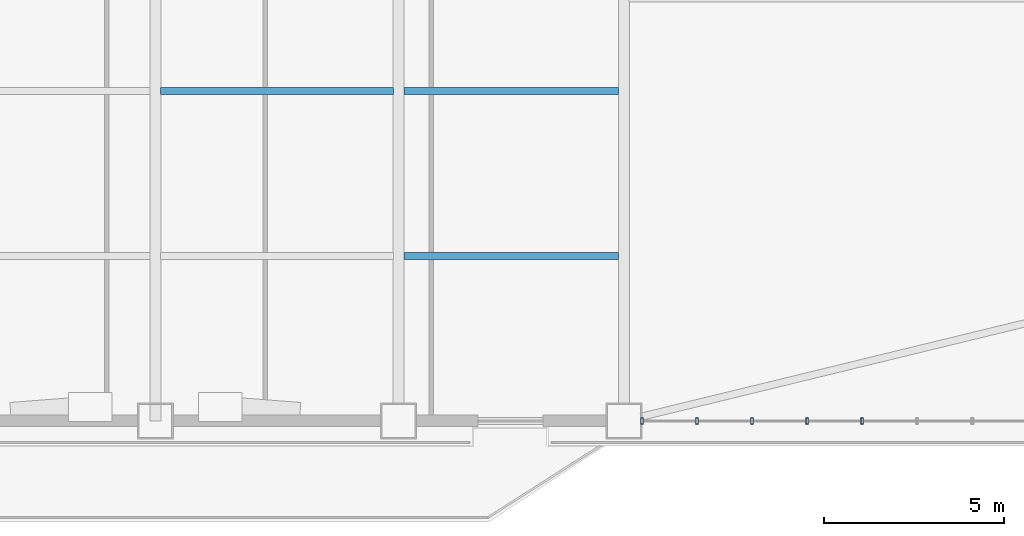
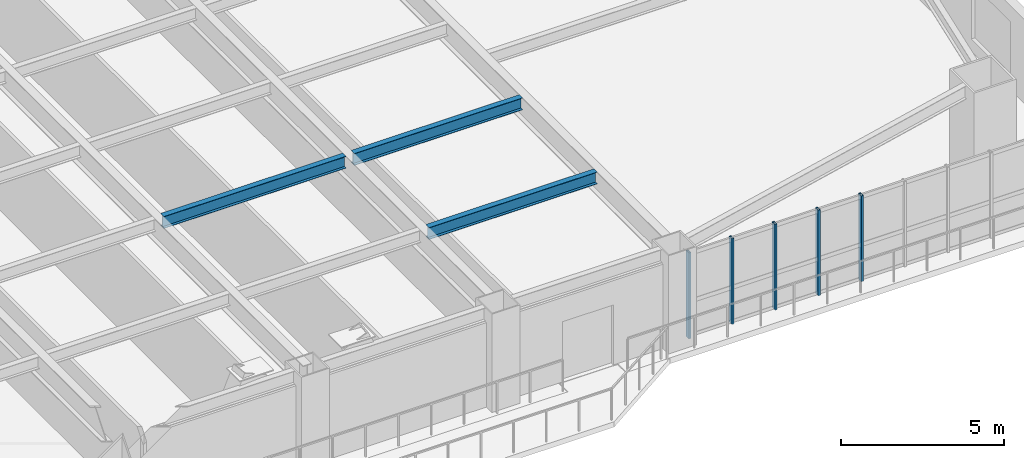
# One storey, part 4 of 16: 5 members, 3 beams, 1 element without a shape of its own.
"""IFC4 building model written with IfcOpenShell, lengths in metres."""

import ifcopenshell
import ifcopenshell.guid

model = None  # the IFC model being written
_history = None  # IfcOwnerHistory: only IFC2X3 demands one
_inside = {}  # id of a spatial element -> (the spatial element, [elements in it])
_under = {}  # id of a project, library or spatial element -> (it, [spatial elements below it])
_declared = {}  # id of a project -> (the project, [libraries it declares])
_typed = {}  # id of a type object -> (the type object, [elements of that type])
_made_of = {}  # id of a material, layer set ... -> (it, [elements and type objects made of it])


def new_model(schema):
    """Start an empty IFC model of exactly this schema.

    Asked for "IFC4X3", IfcOpenShell would pick the latest addendum, in which some entities
    have other attributes; the version numbers below select the first issue.
    IFC2X3 requires an IfcOwnerHistory on every rooted entity: one is made here for all.
    """
    global model, _history
    if schema == "IFC4X3":
        model = ifcopenshell.file(schema_version=(4, 3, 0, 0))
    else:
        model = ifcopenshell.file(schema=schema)
    _inside.clear()
    _under.clear()
    _declared.clear()
    _typed.clear()
    _made_of.clear()
    _history = None
    if model.schema == "IFC2X3":
        org = make("IfcOrganization", Name="unknown")
        user = make(
            "IfcPersonAndOrganization",
            ThePerson=make("IfcPerson", FamilyName="unknown"),
            TheOrganization=org,
        )
        app = make(
            "IfcApplication",
            ApplicationDeveloper=org,
            Version="unknown",
            ApplicationFullName="unknown",
            ApplicationIdentifier="unknown",
        )
        _history = make(
            "IfcOwnerHistory",
            OwningUser=user,
            OwningApplication=app,
            ChangeAction="ADDED",
            CreationDate=0,
        )
    return model


def make(cls, **values):
    """One entity of the class cls with the attributes given. An attribute that is None is left unset."""
    return model.create_entity(
        cls, **{name: value for name, value in values.items() if value is not None}
    )


def rooted(cls, **values):
    """An entity with a GlobalId (a new one), such as an element, a storey or a relation."""
    return make(cls, GlobalId=ifcopenshell.guid.new(), OwnerHistory=_history, **values)


def si_unit(unit_type, name, prefix=None):
    """IfcSIUnit, for example si_unit("LENGTHUNIT", "METRE", prefix="MILLI")."""
    return make("IfcSIUnit", UnitType=unit_type, Prefix=prefix, Name=name)


def assignment(units):
    """IfcUnitAssignment: the units of a project."""
    return None if units is None else make("IfcUnitAssignment", Units=units)


def point(xyz):
    """IfcCartesianPoint."""
    return None if xyz is None else make("IfcCartesianPoint", Coordinates=xyz)


def direction(xyz):
    """IfcDirection."""
    return None if xyz is None else make("IfcDirection", DirectionRatios=xyz)


def frame(location, z_axis=None, x_axis=None):
    """IfcAxis2Placement3D, a coordinate frame: its origin and axes. An axis left out is left unset."""
    return make(
        "IfcAxis2Placement3D",
        Location=point(location),
        Axis=direction(z_axis),
        RefDirection=direction(x_axis),
    )


def frame_2d(location, x_axis=None):
    """IfcAxis2Placement2D, a coordinate frame in the plane: its origin and x axis."""
    return make(
        "IfcAxis2Placement2D", Location=point(location), RefDirection=direction(x_axis)
    )


def origin():
    """The frame at (0, 0, 0) with its axes left unset."""
    return frame((0.0, 0.0, 0.0))


def origin_2d():
    """The frame at (0, 0) in the plane with its x axis left unset."""
    return frame_2d((0.0, 0.0))


def place(relative_to, where):
    """IfcLocalPlacement: puts the frame where relative to a parent placement (None: the world)."""
    return make(
        "IfcLocalPlacement", PlacementRelTo=relative_to, RelativePlacement=where
    )


def context(
    kind, dimensions, precision=None, world=None, true_north=None, identifier=None
):
    """IfcGeometricRepresentationContext, for example the 3D "Model" context."""
    return make(
        "IfcGeometricRepresentationContext",
        ContextIdentifier=identifier,
        ContextType=kind,
        CoordinateSpaceDimension=dimensions,
        Precision=precision,
        WorldCoordinateSystem=world,
        TrueNorth=true_north,
    )


def subcontext(parent, identifier, kind, view, scale=None):
    """IfcGeometricRepresentationSubContext, for example "Body" below "Model"."""
    return make(
        "IfcGeometricRepresentationSubContext",
        ContextIdentifier=identifier,
        ContextType=kind,
        ParentContext=parent,
        TargetScale=scale,
        TargetView=view,
    )


def project(units=None, contexts=None):
    """IfcProject with its units and contexts."""
    return rooted(
        "IfcProject",
        Name="project",
        RepresentationContexts=contexts,
        UnitsInContext=assignment(units),
    )


def spatial(cls, under=None, at=None, **own):
    """A site, building, storey or space (cls), placed at a placement, below another one or the project."""
    s = rooted(cls, ObjectPlacement=at, **own)
    if under is not None:
        _under.setdefault(under.id(), (under, []))[1].append(s)
    return s


def profile(cls, at=None, kind="AREA", **sizes):
    """A parametric profile (cls). Its sizes go by their IFC names, for example OverallWidth=200.0."""
    return make(cls, ProfileType=kind, Position=at, **sizes)


def hollow_rectangle(**sizes):
    """IfcRectangleHollowProfileDef."""
    return profile("IfcRectangleHollowProfileDef", **sizes)


def i_section(**sizes):
    """IfcIShapeProfileDef."""
    return profile("IfcIShapeProfileDef", **sizes)


def extrude(swept, where, along, depth):
    """IfcExtrudedAreaSolid: the profile swept, set in the frame where, extruded along a direction by depth."""
    return make(
        "IfcExtrudedAreaSolid",
        SweptArea=swept,
        Position=where,
        ExtrudedDirection=direction(along),
        Depth=depth,
    )


def shape(context_of_items, identifier, shape_type, items):
    """IfcShapeRepresentation: the items that make up one representation, for example the "Body"."""
    return make(
        "IfcShapeRepresentation",
        ContextOfItems=context_of_items,
        RepresentationIdentifier=identifier,
        RepresentationType=shape_type,
        Items=items,
    )


def source(mapping_origin, context_of_items, identifier, shape_type, items):
    """IfcRepresentationMap: a shape defined once, which mapped items show again and again."""
    return make(
        "IfcRepresentationMap",
        MappingOrigin=mapping_origin,
        MappedRepresentation=shape(context_of_items, identifier, shape_type, items),
    )


def transform(
    local_origin,
    x_axis=None,
    y_axis=None,
    z_axis=None,
    scale=None,
    scale2=None,
    scale3=None,
    uniform=True,
):
    """IfcCartesianTransformationOperator3D, or its non-uniform kind. x_axis, y_axis, z_axis: its Axis1, 2, 3."""
    if uniform:
        return make(
            "IfcCartesianTransformationOperator3D",
            Axis1=direction(x_axis),
            Axis2=direction(y_axis),
            LocalOrigin=point(local_origin),
            Scale=scale,
            Axis3=direction(z_axis),
        )
    return make(
        "IfcCartesianTransformationOperator3DnonUniform",
        Axis1=direction(x_axis),
        Axis2=direction(y_axis),
        LocalOrigin=point(local_origin),
        Scale=scale,
        Axis3=direction(z_axis),
        Scale2=scale2,
        Scale3=scale3,
    )


def mapped(mapping_source, mapping_target):
    """IfcMappedItem: shows the shape of a source again, moved by a transform."""
    return make(
        "IfcMappedItem", MappingSource=mapping_source, MappingTarget=mapping_target
    )


def material(Name=None, Category=None):
    """IfcMaterial."""
    return make("IfcMaterial", Name=Name, Category=Category)


def layer(
    of_material, thickness, ventilated=None, Name=None, Category=None, Priority=None
):
    """IfcMaterialLayer: one layer of a wall or slab, of a material (None: an air gap)."""
    return make(
        "IfcMaterialLayer",
        Material=of_material,
        LayerThickness=thickness,
        IsVentilated=ventilated,
        Name=Name,
        Category=Category,
        Priority=Priority,
    )


def layer_set(layers, Name=None):
    """IfcMaterialLayerSet."""
    return make("IfcMaterialLayerSet", MaterialLayers=layers, LayerSetName=Name)


def material_profile(
    of_material, cross_section, Name=None, Category=None, Priority=None
):
    """IfcMaterialProfile: a cross section and its material."""
    return make(
        "IfcMaterialProfile",
        Name=Name,
        Material=of_material,
        Profile=cross_section,
        Priority=Priority,
        Category=Category,
    )


def profile_set(profiles, Name=None, composite=None):
    """IfcMaterialProfileSet."""
    return make(
        "IfcMaterialProfileSet",
        Name=Name,
        MaterialProfiles=profiles,
        CompositeProfile=composite,
    )


def made_of(thing, what):
    """Note that an element or type object is made of a material, layer set ...; save() writes the relation."""
    if what is not None:
        _made_of.setdefault(what.id(), (what, []))[1].append(thing)
    return thing


def type_object(cls, material=None, **own):
    """A type object (cls), such as IfcWallType, which elements share."""
    return made_of(rooted(cls, **own), material)


def element(
    cls,
    number,
    at=None,
    inside=None,
    cuts=None,
    type_object=None,
    material=None,
    context=None,
    identifier="Body",
    shape_type=None,
    held_by="IfcProductDefinitionShape",
    body=None,
    shapes=None,
    **own,
):
    """One element of the class cls, such as IfcWall. Its Tag is "e" and its number.

    at: its placement. inside: the storey or other place that contains it. cuts: it is an
    opening in that element (IfcRelVoidsElement). A single representation is given by context,
    identifier, shape_type and body (its items); several are given by shapes. held_by: the class
    of the entity that holds the representations. save() writes the other relations.
    """
    e = rooted(cls, Tag="e%d" % number, ObjectPlacement=at, **own)
    if body is not None:
        shapes = [shape(context, identifier, shape_type, body)]
    if shapes is not None:
        e.Representation = make(held_by, Representations=shapes)
    if inside is not None:
        _inside.setdefault(inside.id(), (inside, []))[1].append(e)
    if cuts is not None:
        rooted(
            "IfcRelVoidsElement", RelatingBuildingElement=cuts, RelatedOpeningElement=e
        )
    if type_object is not None:
        _typed.setdefault(type_object.id(), (type_object, []))[1].append(e)
    return made_of(e, material)


def aggregate(whole, parts):
    """IfcRelAggregates: a whole, such as a stair, and the parts it consists of."""
    return rooted("IfcRelAggregates", RelatingObject=whole, RelatedObjects=parts)


def save(model, path):
    """Write the relations noted so far, then the file.

    IfcRelAggregates (storeys below a building ...), IfcRelContainedInSpatialStructure (elements
    in a storey), IfcRelDefinesByType, IfcRelAssociatesMaterial and IfcRelDeclares: one each for
    every whole, place, type object, material and project.
    """
    for whole, parts in _under.values():
        aggregate(whole, parts)
    for where, things in _inside.values():
        rooted(
            "IfcRelContainedInSpatialStructure",
            RelatedElements=things,
            RelatingStructure=where,
        )
    for kind, things in _typed.values():
        rooted("IfcRelDefinesByType", RelatedObjects=things, RelatingType=kind)
    for what, things in _made_of.values():
        rooted("IfcRelAssociatesMaterial", RelatedObjects=things, RelatingMaterial=what)
    for by, libraries in _declared.values():
        rooted("IfcRelDeclares", RelatingContext=by, RelatedDefinitions=libraries)
    model.write(path)


model = new_model("IFC4")

# Units and contexts
model_context = context("Model", 3, precision=1e-05, world=origin(), true_north=direction((0.0, 1.0)))
body_context = subcontext(model_context, "Body", "Model", "MODEL_VIEW")
ifc_project = project(units=[si_unit("LENGTHUNIT", "METRE"), si_unit("AREAUNIT", "SQUARE_METRE"), si_unit("VOLUMEUNIT", "CUBIC_METRE"), si_unit("PLANEANGLEUNIT", "RADIAN"), si_unit("MASSUNIT", "GRAM", prefix="KILO")], contexts=[model_context])

# Site, building, storey
site_placement = place(None, origin())
site = spatial("IfcSite", under=ifc_project, at=site_placement, CompositionType="ELEMENT")
building_placement = place(site_placement, origin())
building = spatial("IfcBuilding", under=site, at=building_placement, Name="Giltprow Tower", CompositionType="ELEMENT")
storey_placement = place(building_placement, frame((0.0, 0.0, 79.60009765625)))
storey = spatial("IfcBuildingStorey", under=building, at=storey_placement, Name="L19", CompositionType="ELEMENT", Elevation=79.60009765625)

# Beams
ifc_material_1 = material(Name="Structural steel Q355B", Category="steel")
ifc_material_profile_1 = material_profile(ifc_material_1, i_section(OverallWidth=0.199951171875, OverallDepth=0.449951171875, WebThickness=0.009033203125, FlangeThickness=0.013916015625, at=origin_2d()), Name="HN 450x200x9x14")
ifc_profile_set_1 = profile_set([ifc_material_profile_1], Name="Structural steel Q355B")
beam_type = type_object("IfcBeamType", Name="BM-JOIST-HN450", PredefinedType="JOIST", material=ifc_profile_set_1)
shared_shape_1 = source(origin(), body_context, "Body", "SweptSolid", [
    extrude(i_section(OverallWidth=0.199951171875, OverallDepth=0.449951171875, WebThickness=0.009033203125, FlangeThickness=0.013916015625, at=origin_2d()), origin(), (0.0, 0.0, 1.0), 6.4599609375),
])
beam_placement = place(storey_placement, frame((37.695068359375, 14.56396484375, 3.454833984375), z_axis=(1.0, 0.0, 0.0), x_axis=(0.0, 1.0, 0.0)))
element("IfcBeam", 1, at=beam_placement, inside=storey, type_object=beam_type, Name="L19 Composite Floor Joist 2-3", PredefinedType="JOIST", context=body_context, shape_type="MappedRepresentation", body=[
    mapped(shared_shape_1, transform((0.0, 0.0, 0.0), x_axis=(1.0, 0.0, 0.0), y_axis=(0.0, 1.0, 0.0), z_axis=(0.0, 0.0, 1.0), scale=1.0)),
])
shared_shape_2 = source(origin(), body_context, "Body", "SweptSolid", [
    extrude(i_section(OverallWidth=0.199951171875, OverallDepth=0.449951171875, WebThickness=0.009033203125, FlangeThickness=0.013916015625, at=origin_2d()), origin(), (0.0, 0.0, 1.0), 5.9599609375),
])
for number, where, z_axis, x_axis, name in (
    (2, (44.445068359375, 9.986083984375, 3.454833984375), (1.0, 0.0, 0.0), (0.0, 1.0, 0.0), "L19 Composite Floor Joist 1-4"),
    (3, (44.445068359375, 14.56396484375, 3.454833984375), (1.0, 0.0, 0.0), (0.0, 1.0, 0.0), "L19 Composite Floor Joist 2-4"),
):
    element("IfcBeam", number, at=place(storey_placement, frame(where, z_axis=z_axis, x_axis=x_axis)), inside=storey, type_object=beam_type, Name=name, PredefinedType="JOIST", context=body_context, shape_type="MappedRepresentation", body=[
        mapped(shared_shape_2, transform((0.0, 0.0, 0.0), x_axis=(1.0, 0.0, 0.0), y_axis=(0.0, 1.0, 0.0), z_axis=(0.0, 0.0, 1.0), scale=1.0)),
    ])

# Curtain wall, members
ifc_material_2 = material(Name="Anodized bronze", Category="metal")
ifc_layer = layer(ifc_material_2, 0.179931640625, Name="Anodized bronze")
ifc_layer_set = layer_set([ifc_layer], Name="Anodized bronze")
curtain_wall_type = type_object("IfcCurtainWallType", Name="CW-OFF-RECESSED", PredefinedType="NOTDEFINED", material=ifc_layer_set)
curtain_wall_placement = place(storey_placement, origin())
curtain_wall = element("IfcCurtainWall", 4, at=curtain_wall_placement, inside=storey, type_object=curtain_wall_type, Name="L19 South Recessed Curtain Wall 6", PredefinedType="NOTDEFINED")
ifc_material_profile_2 = material_profile(ifc_material_2, hollow_rectangle(XDim=0.074951171875, YDim=0.179931640625, WallThickness=0.008056640625, at=origin_2d()), Name="RHS 180x75x8")
ifc_profile_set_2 = profile_set([ifc_material_profile_2], Name="Anodized bronze")
member_type = type_object("IfcMemberType", Name="CW-MULLION-180x75", PredefinedType="MULLION", material=ifc_profile_set_2)
shared_shape_3 = source(origin(), body_context, "Body", "SweptSolid", [
    extrude(hollow_rectangle(XDim=0.074951171875, YDim=0.179931640625, WallThickness=0.008056640625, at=origin_2d()), origin(), (0.0, 0.0, 1.0), 3.21484375),
])
member_1_placement = place(storey_placement, frame((51.050048828125, 5.408935546875, -0.02001953125), z_axis=(0.0, 0.0, 1.0), x_axis=(1.0, 0.0, 0.0)))
member_1 = element("IfcMember", 5, at=member_1_placement, type_object=member_type, Name="L19 South Recessed Curtain Wall 6 Mullion 1", PredefinedType="MULLION", context=body_context, shape_type="MappedRepresentation", body=[
    mapped(shared_shape_3, transform((0.0, 0.0, 0.0), x_axis=(1.0, 0.0, 0.0), y_axis=(0.0, 1.0, 0.0), z_axis=(0.0, 0.0, 1.0), scale=1.0)),
])
member_2_placement = place(storey_placement, frame((52.576904296875, 5.408935546875, -0.02001953125), z_axis=(0.0, 0.0, 1.0), x_axis=(1.0, 0.0, 0.0)))
member_2 = element("IfcMember", 6, at=member_2_placement, type_object=member_type, Name="L19 South Recessed Curtain Wall 6 Mullion 2", PredefinedType="MULLION", context=body_context, shape_type="MappedRepresentation", body=[
    mapped(shared_shape_3, transform((0.0, 0.0, 0.0), x_axis=(1.0, 0.0, 0.0), y_axis=(0.0, 1.0, 0.0), z_axis=(0.0, 0.0, 1.0), scale=1.0)),
])
member_3_placement = place(storey_placement, frame((54.10400390625, 5.408935546875, -0.02001953125), z_axis=(0.0, 0.0, 1.0), x_axis=(1.0, 0.0, 0.0)))
member_3 = element("IfcMember", 7, at=member_3_placement, type_object=member_type, Name="L19 South Recessed Curtain Wall 6 Mullion 3", PredefinedType="MULLION", context=body_context, shape_type="MappedRepresentation", body=[
    mapped(shared_shape_3, transform((0.0, 0.0, 0.0), x_axis=(1.0, 0.0, 0.0), y_axis=(0.0, 1.0, 0.0), z_axis=(0.0, 0.0, 1.0), scale=1.0)),
])
member_4_placement = place(storey_placement, frame((55.631103515625, 5.408935546875, -0.02001953125), z_axis=(0.0, 0.0, 1.0), x_axis=(1.0, 0.0, 0.0)))
member_4 = element("IfcMember", 8, at=member_4_placement, type_object=member_type, Name="L19 South Recessed Curtain Wall 6 Mullion 4", PredefinedType="MULLION", context=body_context, shape_type="MappedRepresentation", body=[
    mapped(shared_shape_3, transform((0.0, 0.0, 0.0), x_axis=(1.0, 0.0, 0.0), y_axis=(0.0, 1.0, 0.0), z_axis=(0.0, 0.0, 1.0), scale=1.0)),
])
member_5_placement = place(storey_placement, frame((57.156982421875, 5.408935546875, -0.02001953125), z_axis=(0.0, 0.0, 1.0), x_axis=(1.0, 0.0, 0.0)))
member_5 = element("IfcMember", 9, at=member_5_placement, type_object=member_type, Name="L19 South Recessed Curtain Wall 6 Mullion 5", PredefinedType="MULLION", context=body_context, shape_type="MappedRepresentation", body=[
    mapped(shared_shape_3, transform((0.0, 0.0, 0.0), x_axis=(1.0, 0.0, 0.0), y_axis=(0.0, 1.0, 0.0), z_axis=(0.0, 0.0, 1.0), scale=1.0)),
])
aggregate(curtain_wall, [member_1, member_2, member_3, member_4, member_5])

save(model, "model.ifc")
